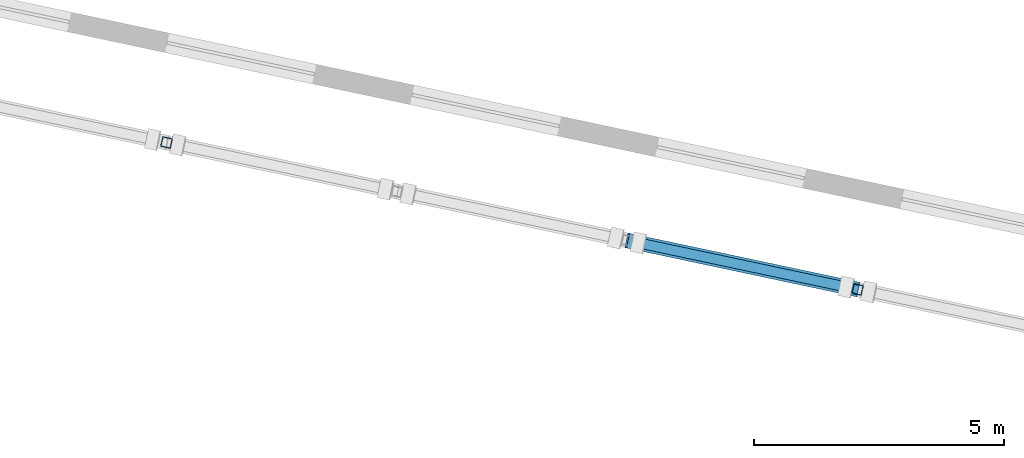
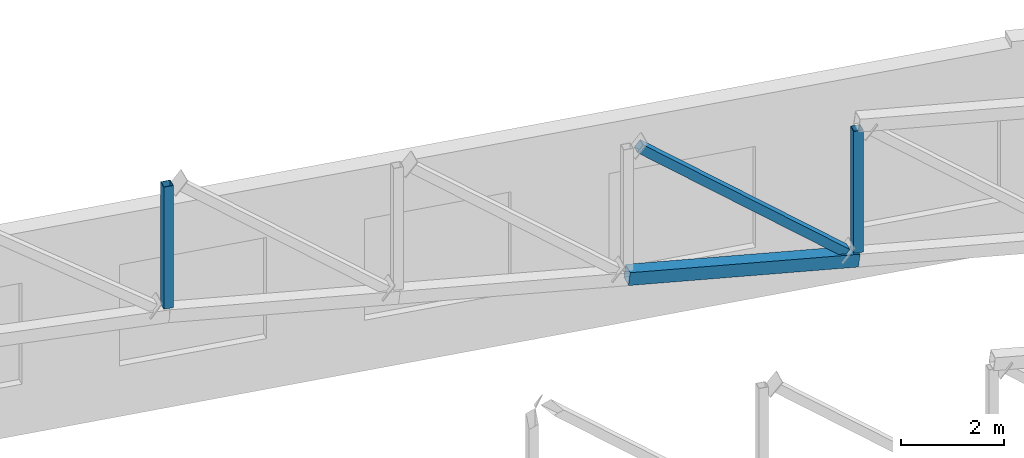
# One storey, part 70 of 182: 4 members.
"""IFC4 building model written with IfcOpenShell, lengths in metres."""

from ifc_helpers import new_model, si_unit, direction, frame, origin, origin_2d, place, context, subcontext, project, spatial, hollow_rectangle, extrude, material, material_profile, profile_set, type_object, element, save


model = new_model("IFC4")

# Units and contexts
model_context = context("Model", 3, precision=1e-05, world=origin(), true_north=direction((0.0, 1.0)))
body_context = subcontext(model_context, "Body", "Model", "MODEL_VIEW")
ifc_project = project(units=[si_unit("LENGTHUNIT", "METRE"), si_unit("AREAUNIT", "SQUARE_METRE"), si_unit("VOLUMEUNIT", "CUBIC_METRE"), si_unit("PLANEANGLEUNIT", "RADIAN"), si_unit("MASSUNIT", "GRAM", prefix="KILO")], contexts=[model_context])

# Site, building, storey
site_placement = place(None, origin())
site = spatial("IfcSite", under=ifc_project, at=site_placement, CompositionType="ELEMENT")
building_placement = place(site_placement, origin())
building = spatial("IfcBuilding", under=site, at=building_placement, Name="Okhra Congress Centre", CompositionType="ELEMENT")
storey_placement = place(building_placement, frame((0.0, 0.0, 7.199951171875)))
storey = spatial("IfcBuildingStorey", under=building, at=storey_placement, Name="L01", CompositionType="ELEMENT", Elevation=7.199951171875)

# Members
ifc_material = material(Name="Steel S355J2", Category="steel")
ifc_material_profile_1 = material_profile(ifc_material, hollow_rectangle(XDim=0.300048828125, YDim=0.300048828125, WallThickness=0.01611328125, at=origin_2d()), Name="RHS 300x300x16")
ifc_profile_set_1 = profile_set([ifc_material_profile_1], Name="Steel S355J2")
member_type_1 = type_object("IfcMemberType", Name="Steel truss chord RHS 300x300x16", PredefinedType="CHORD", material=ifc_profile_set_1)
member_1_placement = place(storey_placement, frame((254.7587890625, 127.4736328125, 2.404296875), z_axis=(0.970862224409, -0.206329489782, -0.121879788567), x_axis=(0.207879256857, 0.978154494223, 0.0)))
element("IfcMember", 1, at=member_1_placement, inside=storey, type_object=member_type_1, Name="Hall truss 6 bottom chord 11", PredefinedType="CHORD", context=body_context, shape_type="SweptSolid", body=[
    extrude(hollow_rectangle(XDim=0.300048828125, YDim=0.300048828125, WallThickness=0.01611328125, at=origin_2d()), origin(), (0.0, 0.0, 1.0), 4.7353515625),
])
ifc_material_profile_2 = material_profile(ifc_material, hollow_rectangle(XDim=0.199951171875, YDim=0.199951171875, WallThickness=0.010009765625, at=origin_2d()), Name="RHS 200x200x10 diagonal")
ifc_profile_set_2 = profile_set([ifc_material_profile_2], Name="Steel S355J2")
member_type_2 = type_object("IfcMemberType", Name="Steel truss diagonal RHS 200x200x10", PredefinedType="BRACE", material=ifc_profile_set_2)
member_2_placement = place(storey_placement, frame((254.99267578125, 127.424072265625, 5.412109375), z_axis=(0.762451468256, -0.162091367416, -0.62641371885), x_axis=(0.207945205612, 0.978140476344, 0.0)))
element("IfcMember", 2, at=member_2_placement, inside=storey, type_object=member_type_2, Name="Hall truss 6 diagonal 11", PredefinedType="BRACE", context=body_context, shape_type="SweptSolid", body=[
    extrude(hollow_rectangle(XDim=0.199951171875, YDim=0.199951171875, WallThickness=0.010009765625, at=origin_2d()), origin(), (0.0, 0.0, 1.0), 5.416259765625),
])
ifc_material_profile_3 = material_profile(ifc_material, hollow_rectangle(XDim=0.199951171875, YDim=0.199951171875, WallThickness=0.010009765625, at=origin_2d()), Name="RHS 200x200x10")
ifc_profile_set_3 = profile_set([ifc_material_profile_3], Name="Steel S355J2")
member_type_3 = type_object("IfcMemberType", Name="Steel truss post RHS 200x200x10", PredefinedType="POST", material=ifc_profile_set_3)
for number, where, z_axis, x_axis, name in (
    (3, (245.564208984375, 129.427978515625, 3.70947265625), (0.0, 0.0, 1.0), (0.978147600734, -0.207911690818, 0.0), "Hall truss 6 post 9"),
    (4, (259.356201171875, 126.49658203125, 1.978271484375), (0.0, 0.0, 1.0), (0.978147600734, -0.207911690818, 0.0), "Hall truss 6 post 12"),
):
    element("IfcMember", number, at=place(storey_placement, frame(where, z_axis=z_axis, x_axis=x_axis)), inside=storey, type_object=member_type_3, Name=name, PredefinedType="POST", context=body_context, shape_type="SweptSolid", body=[
        extrude(hollow_rectangle(XDim=0.199951171875, YDim=0.199951171875, WallThickness=0.010009765625, at=origin_2d()), origin(), (0.0, 0.0, 1.0), 2.897705078125),
    ])

save(model, "model.ifc")
